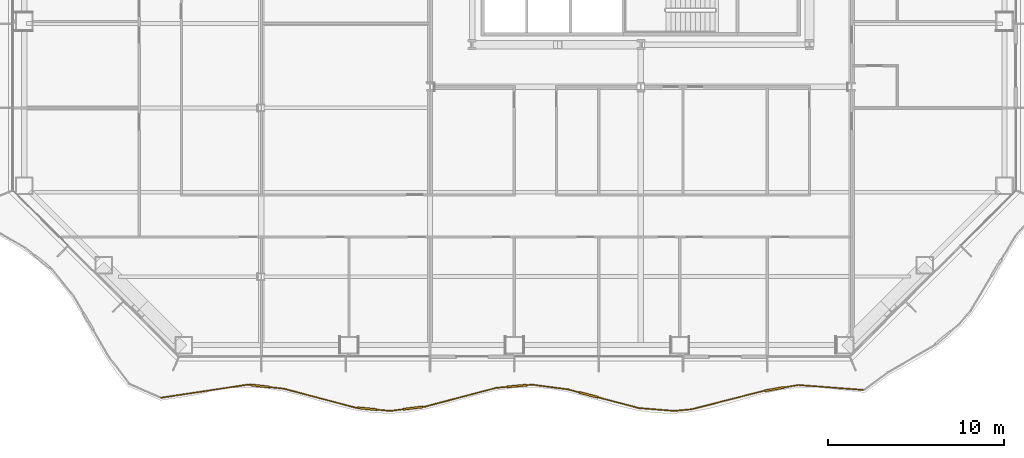
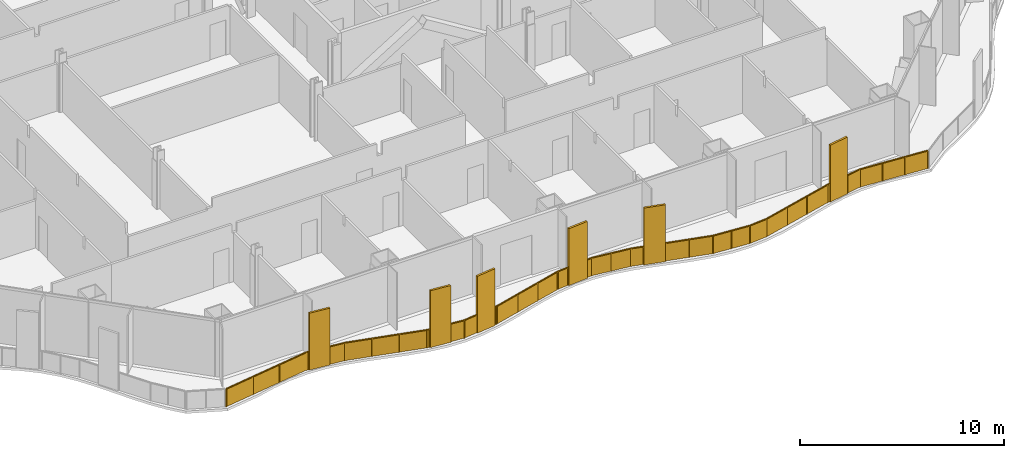
# One storey, part 16 of 21: 1 railing.
"""IFC4 building model written with IfcOpenShell, lengths in metres."""

from ifc_helpers import new_model, si_unit, direction, frame, origin, origin_2d, place, context, subcontext, project, spatial, polyline, rectangle, outline, extrude, material, type_object, element, save


model = new_model("IFC4")

# Units and contexts
model_context = context("Model", 3, precision=1e-05, world=origin(), true_north=direction((0.0, 1.0)))
body_context = subcontext(model_context, "Body", "Model", "MODEL_VIEW")
ifc_project = project(units=[si_unit("LENGTHUNIT", "METRE"), si_unit("AREAUNIT", "SQUARE_METRE"), si_unit("VOLUMEUNIT", "CUBIC_METRE"), si_unit("PLANEANGLEUNIT", "RADIAN"), si_unit("MASSUNIT", "GRAM", prefix="KILO")], contexts=[model_context])

# Site, building, storey
site_placement = place(None, origin())
site = spatial("IfcSite", under=ifc_project, at=site_placement, CompositionType="ELEMENT")
building_placement = place(site_placement, origin())
building = spatial("IfcBuilding", under=site, at=building_placement, Name="Cairn Pilgrim Tower", CompositionType="ELEMENT")
storey_placement = place(building_placement, frame((0.0, 0.0, 58.199951171875)))
storey = spatial("IfcBuildingStorey", under=building, at=storey_placement, Name="L12", CompositionType="ELEMENT", Elevation=58.199951171875)

# Railing
ifc_material = material(Name="Bronze anodised aluminium rail, posts and fin screens with laminated glass infill", Category="aluminium")
railing_type = type_object("IfcRailingType", Name="BALCONY GUARD WITH FIN SCREENS", PredefinedType="GUARDRAIL", material=ifc_material)
railing_placement = place(storey_placement, frame((-20.111572265625, -26.09521484375, 0.0)))
element("IfcRailing", 1, at=railing_placement, inside=storey, type_object=railing_type, Name="Balcony guard BGF-1 with fin screens", PredefinedType="GUARDRAIL", context=body_context, shape_type="SweptSolid", body=[
    extrude(rectangle(XDim=0.050048828125, YDim=0.050048828125, at=origin_2d()), frame((0.0, 0.0, 1.0751953125), z_axis=(0.988827717566, 0.149062889324, 0.0), x_axis=(-0.149062889324, 0.988827717566, 0.0)), (0.0, 0.0, 1.0), 5.0068359375),
    extrude(rectangle(XDim=1.10009765625, YDim=0.110107421875, at=origin_2d()), frame((5.646484375, 0.666259765625, 0.0), z_axis=(0.0, 0.0, 1.0), x_axis=(0.99343169529, -0.114426687416, 0.0)), (0.0, 0.0, 1.0), 3.39990234375),
    extrude(rectangle(XDim=0.050048828125, YDim=0.050048828125, at=origin_2d()), frame((4.950927734375, 0.746337890625, 1.0751953125), z_axis=(0.99343169529, -0.114426687416, 0.0), x_axis=(0.114426687416, 0.99343169529, 0.0)), (0.0, 0.0, 1.0), 0.150146484375),
    extrude(rectangle(XDim=0.050048828125, YDim=0.050048828125, at=origin_2d()), frame((6.19287109375, 0.603271484375, 1.0751953125), z_axis=(0.99343169529, -0.114426687416, 0.0), x_axis=(0.114426687416, 0.99343169529, 0.0)), (0.0, 0.0, 1.0), 0.815185546875),
    extrude(rectangle(XDim=0.050048828125, YDim=0.050048828125, at=origin_2d()), frame((7.002685546875, 0.510009765625, 1.0751953125), z_axis=(0.966779559823, -0.255611585631, 0.0), x_axis=(0.255611585631, 0.966779559823, 0.0)), (0.0, 0.0, 1.0), 4.1796875),
    extrude(rectangle(XDim=1.10009765625, YDim=0.110107421875, at=origin_2d()), frame((11.740234375, -0.62646484375, 0.0), z_axis=(0.0, 0.0, 1.0), x_axis=(0.99526514308, -0.097197196304, 0.0)), (0.0, 0.0, 1.0), 3.39990234375),
    extrude(rectangle(XDim=0.050048828125, YDim=0.050048828125, at=origin_2d()), frame((11.04345703125, -0.558349609375, 1.0751953125), z_axis=(0.99526514308, -0.097197196304, 0.0), x_axis=(0.097197196304, 0.99526514308, 0.0)), (0.0, 0.0, 1.0), 0.150146484375),
    extrude(rectangle(XDim=0.050048828125, YDim=0.050048828125, at=origin_2d()), frame((12.28759765625, -0.679931640625, 1.0751953125), z_axis=(0.99526514308, -0.097197196304, 0.0), x_axis=(0.097197196304, 0.99526514308, 0.0)), (0.0, 0.0, 1.0), 0.751708984375),
    extrude(rectangle(XDim=1.10009765625, YDim=0.110107421875, at=origin_2d()), frame((14.3359375, -0.591796875, 0.0), z_axis=(0.0, 0.0, 1.0), x_axis=(0.992415549692, 0.122928339815, 0.0)), (0.0, 0.0, 1.0), 3.39990234375),
    extrude(rectangle(XDim=0.050048828125, YDim=0.050048828125, at=origin_2d()), frame((13.035888671875, -0.7529296875, 1.0751953125), z_axis=(0.992415549692, 0.122928339815, 0.0), x_axis=(-0.122928339815, 0.992415549692, 0.0)), (0.0, 0.0, 1.0), 0.759765625),
    extrude(rectangle(XDim=0.050048828125, YDim=0.050048828125, at=origin_2d()), frame((14.881591796875, -0.5244140625, 1.0751953125), z_axis=(0.992415549692, 0.122928339815, 0.0), x_axis=(-0.122928339815, 0.992415549692, 0.0)), (0.0, 0.0, 1.0), 0.14990234375),
    extrude(rectangle(XDim=0.050048828125, YDim=0.050048828125, at=origin_2d()), frame((15.030517578125, -0.505859375, 1.0751953125), z_axis=(0.966883758121, 0.255217159067, 0.0), x_axis=(-0.255217159067, 0.966883758121, 0.0)), (0.0, 0.0, 1.0), 4.18310546875),
    extrude(rectangle(XDim=1.10009765625, YDim=0.110107421875, at=origin_2d()), frame((20.260498046875, 0.666748046875, 0.0), z_axis=(0.0, 0.0, 1.0), x_axis=(0.996097709012, 0.088257317554, 0.0)), (0.0, 0.0, 1.0), 3.39990234375),
    extrude(rectangle(XDim=0.050048828125, YDim=0.050048828125, at=origin_2d()), frame((19.0751953125, 0.561767578125, 1.0751953125), z_axis=(0.996097709012, 0.088257317554, 0.0), x_axis=(-0.088257317554, 0.996097709012, 0.0)), (0.0, 0.0, 1.0), 0.639892578125),
    extrude(rectangle(XDim=0.050048828125, YDim=0.050048828125, at=origin_2d()), frame((20.808349609375, 0.71533203125, 1.0751953125), z_axis=(0.996097709012, 0.088257317554, 0.0), x_axis=(-0.088257317554, 0.996097709012, 0.0)), (0.0, 0.0, 1.0), 0.318115234375),
    extrude(rectangle(XDim=0.050048828125, YDim=0.050048828125, at=origin_2d()), frame((21.125244140625, 0.743408203125, 1.0751953125), z_axis=(0.991364715307, -0.131133524484, 0.0), x_axis=(0.131133524484, 0.991364715307, 0.0)), (0.0, 0.0, 1.0), 2.064697265625),
    extrude(rectangle(XDim=1.10009765625, YDim=0.110107421875, at=origin_2d()), frame((24.337890625, 0.165771484375, 0.0), z_axis=(0.0, 0.0, 1.0), x_axis=(0.967044238459, -0.254608406897, 0.0)), (0.0, 0.0, 1.0), 3.39990234375),
    extrude(rectangle(XDim=0.050048828125, YDim=0.050048828125, at=origin_2d()), frame((23.172119140625, 0.47265625, 1.0751953125), z_axis=(0.967044238459, -0.254608406897, 0.0), x_axis=(0.254608406897, 0.967044238459, 0.0)), (0.0, 0.0, 1.0), 0.655517578125),
    extrude(rectangle(XDim=0.050048828125, YDim=0.050048828125, at=origin_2d()), frame((24.869873046875, 0.025634765625, 1.0751953125), z_axis=(0.967044238459, -0.254608406897, 0.0), x_axis=(0.254608406897, 0.967044238459, 0.0)), (0.0, 0.0, 1.0), 2.42041015625),
    extrude(rectangle(XDim=0.050048828125, YDim=0.050048828125, at=origin_2d()), frame((27.21044921875, -0.590576171875, 1.0751953125), z_axis=(0.996851633741, -0.079289471602, 0.0), x_axis=(0.079289471602, 0.996851633741, 0.0)), (0.0, 0.0, 1.0), 2.00146484375),
    extrude(rectangle(XDim=0.050048828125, YDim=0.050048828125, at=origin_2d()), frame((29.20556640625, -0.749267578125, 1.0751953125), z_axis=(0.995939573167, 0.090024255623, 0.0), x_axis=(-0.090024255623, 0.995939573167, 0.0)), (0.0, 0.0, 1.0), 0.98974609375),
    extrude(rectangle(XDim=0.050048828125, YDim=0.050048828125, at=origin_2d()), frame((30.19140625, -0.66015625, 1.0751953125), z_axis=(0.968902764262, 0.247441777808, 0.0), x_axis=(-0.247441777808, 0.968902764262, 0.0)), (0.0, 0.0, 1.0), 4.165771484375),
    extrude(rectangle(XDim=1.10009765625, YDim=0.110107421875, at=origin_2d()), frame((34.91748046875, 0.489501953125, 0.0), z_axis=(0.0, 0.0, 1.0), x_axis=(0.985466228014, 0.169871461532, 0.0)), (0.0, 0.0, 1.0), 3.39990234375),
    extrude(rectangle(XDim=0.050048828125, YDim=0.050048828125, at=origin_2d()), frame((34.2275390625, 0.37060546875, 1.0751953125), z_axis=(0.985466228014, 0.169871461532, 0.0), x_axis=(-0.169871461532, 0.985466228014, 0.0)), (0.0, 0.0, 1.0), 0.150146484375),
    extrude(rectangle(XDim=0.050048828125, YDim=0.050048828125, at=origin_2d()), frame((35.45947265625, 0.5830078125, 1.0751953125), z_axis=(0.985466228014, 0.169871461532, 0.0), x_axis=(-0.169871461532, 0.985466228014, 0.0)), (0.0, 0.0, 1.0), 0.8251953125),
    extrude(rectangle(XDim=0.050048828125, YDim=0.050048828125, at=origin_2d()), frame((36.272705078125, 0.72314453125, 1.0751953125), z_axis=(0.997148567505, -0.075463463492, 0.0), x_axis=(0.075463463492, 0.997148567505, 0.0)), (0.0, 0.0, 1.0), 3.694580078125),
    extrude(rectangle(XDim=0.050048828125, YDim=0.050048828125, at=origin_2d()), origin(), (0.0, 0.0, 1.0), 1.050048828125),
    extrude(rectangle(XDim=0.050048828125, YDim=0.050048828125, at=origin_2d()), frame((1.650390625, 0.248779296875, 0.0)), (0.0, 0.0, 1.0), 1.050048828125),
    extrude(rectangle(XDim=0.050048828125, YDim=0.050048828125, at=origin_2d()), frame((3.300537109375, 0.49755859375, 0.0)), (0.0, 0.0, 1.0), 1.050048828125),
    extrude(rectangle(XDim=0.050048828125, YDim=0.050048828125, at=origin_2d()), frame((4.950927734375, 0.746337890625, 0.0)), (0.0, 0.0, 1.0), 1.050048828125),
    extrude(rectangle(XDim=0.050048828125, YDim=0.050048828125, at=origin_2d()), frame((5.0751953125, 0.73193359375, 0.0)), (0.0, 0.0, 1.0), 1.050048828125),
    extrude(rectangle(XDim=0.050048828125, YDim=0.050048828125, at=origin_2d()), frame((6.2177734375, 0.600341796875, 0.0)), (0.0, 0.0, 1.0), 1.050048828125),
    extrude(rectangle(XDim=0.050048828125, YDim=0.050048828125, at=origin_2d()), frame((7.002685546875, 0.510009765625, 0.0)), (0.0, 0.0, 1.0), 1.050048828125),
    extrude(rectangle(XDim=0.050048828125, YDim=0.050048828125, at=origin_2d()), frame((8.349609375, 0.15380859375, 0.0)), (0.0, 0.0, 1.0), 1.050048828125),
    extrude(rectangle(XDim=0.050048828125, YDim=0.050048828125, at=origin_2d()), frame((9.696533203125, -0.2021484375, 0.0)), (0.0, 0.0, 1.0), 1.050048828125),
    extrude(rectangle(XDim=0.050048828125, YDim=0.050048828125, at=origin_2d()), frame((11.04345703125, -0.558349609375, 0.0)), (0.0, 0.0, 1.0), 1.050048828125),
    extrude(rectangle(XDim=0.050048828125, YDim=0.050048828125, at=origin_2d()), frame((11.16796875, -0.570556640625, 0.0)), (0.0, 0.0, 1.0), 1.050048828125),
    extrude(rectangle(XDim=0.050048828125, YDim=0.050048828125, at=origin_2d()), frame((12.3125, -0.682373046875, 0.0)), (0.0, 0.0, 1.0), 1.050048828125),
    extrude(rectangle(XDim=0.050048828125, YDim=0.050048828125, at=origin_2d()), frame((13.035888671875, -0.7529296875, 0.0)), (0.0, 0.0, 1.0), 1.050048828125),
    extrude(rectangle(XDim=0.050048828125, YDim=0.050048828125, at=origin_2d()), frame((13.76513671875, -0.66259765625, 0.0)), (0.0, 0.0, 1.0), 1.050048828125),
    extrude(rectangle(XDim=0.050048828125, YDim=0.050048828125, at=origin_2d()), frame((14.906494140625, -0.521240234375, 0.0)), (0.0, 0.0, 1.0), 1.050048828125),
    extrude(rectangle(XDim=0.050048828125, YDim=0.050048828125, at=origin_2d()), frame((15.030517578125, -0.505859375, 0.0)), (0.0, 0.0, 1.0), 1.050048828125),
    extrude(rectangle(XDim=0.050048828125, YDim=0.050048828125, at=origin_2d()), frame((16.378662109375, -0.14990234375, 0.0)), (0.0, 0.0, 1.0), 1.050048828125),
    extrude(rectangle(XDim=0.050048828125, YDim=0.050048828125, at=origin_2d()), frame((17.72705078125, 0.205810546875, 0.0)), (0.0, 0.0, 1.0), 1.050048828125),
    extrude(rectangle(XDim=0.050048828125, YDim=0.050048828125, at=origin_2d()), frame((19.0751953125, 0.561767578125, 0.0)), (0.0, 0.0, 1.0), 1.050048828125),
    extrude(rectangle(XDim=0.050048828125, YDim=0.050048828125, at=origin_2d()), frame((19.687744140625, 0.615966796875, 0.0)), (0.0, 0.0, 1.0), 1.050048828125),
    extrude(rectangle(XDim=0.050048828125, YDim=0.050048828125, at=origin_2d()), frame((20.833251953125, 0.717529296875, 0.0)), (0.0, 0.0, 1.0), 1.050048828125),
    extrude(rectangle(XDim=0.050048828125, YDim=0.050048828125, at=origin_2d()), frame((21.125244140625, 0.743408203125, 0.0)), (0.0, 0.0, 1.0), 1.050048828125),
    extrude(rectangle(XDim=0.050048828125, YDim=0.050048828125, at=origin_2d()), frame((22.148681640625, 0.60791015625, 0.0)), (0.0, 0.0, 1.0), 1.050048828125),
    extrude(rectangle(XDim=0.050048828125, YDim=0.050048828125, at=origin_2d()), frame((23.172119140625, 0.47265625, 0.0)), (0.0, 0.0, 1.0), 1.050048828125),
    extrude(rectangle(XDim=0.050048828125, YDim=0.050048828125, at=origin_2d()), frame((23.78173828125, 0.31201171875, 0.0)), (0.0, 0.0, 1.0), 1.050048828125),
    extrude(rectangle(XDim=0.050048828125, YDim=0.050048828125, at=origin_2d()), frame((24.89404296875, 0.019287109375, 0.0)), (0.0, 0.0, 1.0), 1.050048828125),
    extrude(rectangle(XDim=0.050048828125, YDim=0.050048828125, at=origin_2d()), frame((26.05224609375, -0.28564453125, 0.0)), (0.0, 0.0, 1.0), 1.050048828125),
    extrude(rectangle(XDim=0.050048828125, YDim=0.050048828125, at=origin_2d()), frame((27.21044921875, -0.590576171875, 0.0)), (0.0, 0.0, 1.0), 1.050048828125),
    extrude(rectangle(XDim=0.050048828125, YDim=0.050048828125, at=origin_2d()), frame((28.2080078125, -0.669921875, 0.0)), (0.0, 0.0, 1.0), 1.050048828125),
    extrude(rectangle(XDim=0.050048828125, YDim=0.050048828125, at=origin_2d()), frame((29.20556640625, -0.749267578125, 0.0)), (0.0, 0.0, 1.0), 1.050048828125),
    extrude(rectangle(XDim=0.050048828125, YDim=0.050048828125, at=origin_2d()), frame((30.19140625, -0.66015625, 0.0)), (0.0, 0.0, 1.0), 1.050048828125),
    extrude(rectangle(XDim=0.050048828125, YDim=0.050048828125, at=origin_2d()), frame((31.536865234375, -0.316650390625, 0.0)), (0.0, 0.0, 1.0), 1.050048828125),
    extrude(rectangle(XDim=0.050048828125, YDim=0.050048828125, at=origin_2d()), frame((32.882080078125, 0.027099609375, 0.0)), (0.0, 0.0, 1.0), 1.050048828125),
    extrude(rectangle(XDim=0.050048828125, YDim=0.050048828125, at=origin_2d()), frame((34.2275390625, 0.37060546875, 0.0)), (0.0, 0.0, 1.0), 1.050048828125),
    extrude(rectangle(XDim=0.050048828125, YDim=0.050048828125, at=origin_2d()), frame((34.350830078125, 0.391845703125, 0.0)), (0.0, 0.0, 1.0), 1.050048828125),
    extrude(rectangle(XDim=0.050048828125, YDim=0.050048828125, at=origin_2d()), frame((35.484130859375, 0.587158203125, 0.0)), (0.0, 0.0, 1.0), 1.050048828125),
    extrude(rectangle(XDim=0.050048828125, YDim=0.050048828125, at=origin_2d()), frame((36.272705078125, 0.72314453125, 0.0)), (0.0, 0.0, 1.0), 1.050048828125),
    extrude(rectangle(XDim=0.050048828125, YDim=0.050048828125, at=origin_2d()), frame((37.500732421875, 0.630126953125, 0.0)), (0.0, 0.0, 1.0), 1.050048828125),
    extrude(rectangle(XDim=0.050048828125, YDim=0.050048828125, at=origin_2d()), frame((38.728759765625, 0.537353515625, 0.0)), (0.0, 0.0, 1.0), 1.050048828125),
    extrude(rectangle(XDim=0.050048828125, YDim=0.050048828125, at=origin_2d()), frame((39.956787109375, 0.4443359375, 0.0)), (0.0, 0.0, 1.0), 1.050048828125),
    extrude(outline(polyline([(0.02490234375, 0.0), (1.64404296875, 0.0), (1.64404296875, 1.050048828125), (0.02490234375, 1.050048828125), (0.02490234375, 0.0)])), frame((-0.0009765625, 0.005859375, 0.0), z_axis=(0.149062889324, -0.988827717566, 0.0), x_axis=(0.988827717566, 0.149062889324, 0.0)), (0.0, 0.0, 1.0), 0.011962890625),
    extrude(outline(polyline([(0.02490234375, 0.0), (1.64404296875, 0.0), (1.64404296875, 1.050048828125), (0.02490234375, 1.050048828125), (0.02490234375, 0.0)])), frame((1.6494140625, 0.254638671875, 0.0), z_axis=(0.149062889324, -0.988827717566, 0.0), x_axis=(0.988827717566, 0.149062889324, 0.0)), (0.0, 0.0, 1.0), 0.011962890625),
    extrude(outline(polyline([(0.02490234375, 0.0), (1.64404296875, 0.0), (1.64404296875, 1.050048828125), (0.02490234375, 1.050048828125), (0.02490234375, 0.0)])), frame((3.2998046875, 0.50341796875, 0.0), z_axis=(0.149062889324, -0.988827717566, 0.0), x_axis=(0.988827717566, 0.149062889324, 0.0)), (0.0, 0.0, 1.0), 0.011962890625),
    extrude(outline(polyline([(0.02490234375, 0.0), (0.10009765625, 0.0), (0.10009765625, 1.050048828125), (0.02490234375, 1.050048828125), (0.02490234375, 0.0)])), frame((4.95166015625, 0.752197265625, 0.0), z_axis=(-0.114426687416, -0.99343169529, 0.0), x_axis=(0.99343169529, -0.114426687416, 0.0)), (0.0, 0.0, 1.0), 0.011962890625),
    extrude(outline(polyline([(0.02490234375, 0.0), (0.76513671875, 0.0), (0.76513671875, 1.050048828125), (0.02490234375, 1.050048828125), (0.02490234375, 0.0)])), frame((6.218505859375, 0.6064453125, 0.0), z_axis=(-0.114426687416, -0.99343169529, 0.0), x_axis=(0.99343169529, -0.114426687416, 0.0)), (0.0, 0.0, 1.0), 0.011962890625),
    extrude(outline(polyline([(0.02490234375, 0.0), (1.3681640625, 0.0), (1.3681640625, 1.050048828125), (0.02490234375, 1.050048828125), (0.02490234375, 0.0)])), frame((7.004150390625, 0.515869140625, 0.0), z_axis=(-0.255611585631, -0.966779559823, 0.0), x_axis=(0.966779559823, -0.255611585631, 0.0)), (0.0, 0.0, 1.0), 0.011962890625),
    extrude(outline(polyline([(0.02490234375, 0.0), (1.3681640625, 0.0), (1.3681640625, 1.050048828125), (0.02490234375, 1.050048828125), (0.02490234375, 0.0)])), frame((8.35107421875, 0.15966796875, 0.0), z_axis=(-0.255611585631, -0.966779559823, 0.0), x_axis=(0.966779559823, -0.255611585631, 0.0)), (0.0, 0.0, 1.0), 0.011962890625),
    extrude(outline(polyline([(0.02490234375, 0.0), (1.3681640625, 0.0), (1.3681640625, 1.050048828125), (0.02490234375, 1.050048828125), (0.02490234375, 0.0)])), frame((9.697998046875, -0.196533203125, 0.0), z_axis=(-0.255611585631, -0.966779559823, 0.0), x_axis=(0.966779559823, -0.255611585631, 0.0)), (0.0, 0.0, 1.0), 0.011962890625),
    extrude(outline(polyline([(0.02490234375, 0.0), (0.10009765625, 0.0), (0.10009765625, 1.050048828125), (0.02490234375, 1.050048828125), (0.02490234375, 0.0)])), frame((11.0439453125, -0.552490234375, 0.0), z_axis=(-0.097197196304, -0.99526514308, 0.0), x_axis=(0.99526514308, -0.097197196304, 0.0)), (0.0, 0.0, 1.0), 0.011962890625),
    extrude(outline(polyline([(0.02490234375, 0.0), (0.70166015625, 0.0), (0.70166015625, 1.050048828125), (0.02490234375, 1.050048828125), (0.02490234375, 0.0)])), frame((12.313232421875, -0.67626953125, 0.0), z_axis=(-0.097197196304, -0.99526514308, 0.0), x_axis=(0.99526514308, -0.097197196304, 0.0)), (0.0, 0.0, 1.0), 0.011962890625),
    extrude(outline(polyline([(0.02490234375, 0.0), (0.709716796875, 0.0), (0.709716796875, 1.050048828125), (0.02490234375, 1.050048828125), (0.02490234375, 0.0)])), frame((13.03515625, -0.7470703125, 0.0), z_axis=(0.122928339815, -0.992415549692, 0.0), x_axis=(0.992415549692, 0.122928339815, 0.0)), (0.0, 0.0, 1.0), 0.011962890625),
    extrude(outline(polyline([(0.02490234375, 0.0), (0.099853515625, 0.0), (0.099853515625, 1.050048828125), (0.02490234375, 1.050048828125), (0.02490234375, 0.0)])), frame((14.90576171875, -0.515380859375, 0.0), z_axis=(0.122928339815, -0.992415549692, 0.0), x_axis=(0.992415549692, 0.122928339815, 0.0)), (0.0, 0.0, 1.0), 0.011962890625),
    extrude(outline(polyline([(0.02490234375, 0.0), (1.369384765625, 0.0), (1.369384765625, 1.050048828125), (0.02490234375, 1.050048828125), (0.02490234375, 0.0)])), frame((15.029052734375, -0.5, 0.0), z_axis=(0.255217159067, -0.966883758121, 0.0), x_axis=(0.966883758121, 0.255217159067, 0.0)), (0.0, 0.0, 1.0), 0.011962890625),
    extrude(outline(polyline([(0.02490234375, 0.0), (1.369384765625, 0.0), (1.369384765625, 1.050048828125), (0.02490234375, 1.050048828125), (0.02490234375, 0.0)])), frame((16.377197265625, -0.144287109375, 0.0), z_axis=(0.255217159067, -0.966883758121, 0.0), x_axis=(0.966883758121, 0.255217159067, 0.0)), (0.0, 0.0, 1.0), 0.011962890625),
    extrude(outline(polyline([(0.02490234375, 0.0), (1.369384765625, 0.0), (1.369384765625, 1.050048828125), (0.02490234375, 1.050048828125), (0.02490234375, 0.0)])), frame((17.725341796875, 0.211669921875, 0.0), z_axis=(0.255217159067, -0.966883758121, 0.0), x_axis=(0.966883758121, 0.255217159067, 0.0)), (0.0, 0.0, 1.0), 0.011962890625),
    extrude(outline(polyline([(0.02490234375, 0.0), (0.58984375, 0.0), (0.58984375, 1.050048828125), (0.02490234375, 1.050048828125), (0.02490234375, 0.0)])), frame((19.07470703125, 0.567626953125, 0.0), z_axis=(0.088257317554, -0.996097709012, 0.0), x_axis=(0.996097709012, 0.088257317554, 0.0)), (0.0, 0.0, 1.0), 0.011962890625),
    extrude(outline(polyline([(0.02490234375, 0.0), (0.26806640625, 0.0), (0.26806640625, 1.050048828125), (0.02490234375, 1.050048828125), (0.02490234375, 0.0)])), frame((20.832763671875, 0.723388671875, 0.0), z_axis=(0.088257317554, -0.996097709012, 0.0), x_axis=(0.996097709012, 0.088257317554, 0.0)), (0.0, 0.0, 1.0), 0.011962890625),
    extrude(outline(polyline([(0.02490234375, 0.0), (1.00732421875, 0.0), (1.00732421875, 1.050048828125), (0.02490234375, 1.050048828125), (0.02490234375, 0.0)])), frame((21.1259765625, 0.749267578125, 0.0), z_axis=(-0.131133524484, -0.991364715307, 0.0), x_axis=(0.991364715307, -0.131133524484, 0.0)), (0.0, 0.0, 1.0), 0.011962890625),
    extrude(outline(polyline([(0.02490234375, 0.0), (1.00732421875, 0.0), (1.00732421875, 1.050048828125), (0.02490234375, 1.050048828125), (0.02490234375, 0.0)])), frame((22.1494140625, 0.614013671875, 0.0), z_axis=(-0.131133524484, -0.991364715307, 0.0), x_axis=(0.991364715307, -0.131133524484, 0.0)), (0.0, 0.0, 1.0), 0.011962890625),
    extrude(outline(polyline([(0.02490234375, 0.0), (0.60546875, 0.0), (0.60546875, 1.050048828125), (0.02490234375, 1.050048828125), (0.02490234375, 0.0)])), frame((23.173583984375, 0.478515625, 0.0), z_axis=(-0.254608406897, -0.967044238459, 0.0), x_axis=(0.967044238459, -0.254608406897, 0.0)), (0.0, 0.0, 1.0), 0.011962890625),
    extrude(outline(polyline([(0.02490234375, 0.0), (1.172607421875, 0.0), (1.172607421875, 1.050048828125), (0.02490234375, 1.050048828125), (0.02490234375, 0.0)])), frame((24.8955078125, 0.025146484375, 0.0), z_axis=(-0.254608406897, -0.967044238459, 0.0), x_axis=(0.967044238459, -0.254608406897, 0.0)), (0.0, 0.0, 1.0), 0.011962890625),
    extrude(outline(polyline([(0.02490234375, 0.0), (1.172607421875, 0.0), (1.172607421875, 1.050048828125), (0.02490234375, 1.050048828125), (0.02490234375, 0.0)])), frame((26.0537109375, -0.27978515625, 0.0), z_axis=(-0.254608406897, -0.967044238459, 0.0), x_axis=(0.967044238459, -0.254608406897, 0.0)), (0.0, 0.0, 1.0), 0.011962890625),
    extrude(outline(polyline([(0.02490234375, 0.0), (0.9755859375, 0.0), (0.9755859375, 1.050048828125), (0.02490234375, 1.050048828125), (0.02490234375, 0.0)])), frame((27.2109375, -0.584716796875, 0.0), z_axis=(-0.079289471602, -0.996851633741, 0.0), x_axis=(0.996851633741, -0.079289471602, 0.0)), (0.0, 0.0, 1.0), 0.011962890625),
    extrude(outline(polyline([(0.02490234375, 0.0), (0.9755859375, 0.0), (0.9755859375, 1.050048828125), (0.02490234375, 1.050048828125), (0.02490234375, 0.0)])), frame((28.20849609375, -0.6640625, 0.0), z_axis=(-0.079289471602, -0.996851633741, 0.0), x_axis=(0.996851633741, -0.079289471602, 0.0)), (0.0, 0.0, 1.0), 0.011962890625),
    extrude(outline(polyline([(0.02490234375, 0.0), (0.96484375, 0.0), (0.96484375, 1.050048828125), (0.02490234375, 1.050048828125), (0.02490234375, 0.0)])), frame((29.205078125, -0.743408203125, 0.0), z_axis=(0.090024255623, -0.995939573167, 0.0), x_axis=(0.995939573167, 0.090024255623, 0.0)), (0.0, 0.0, 1.0), 0.011962890625),
    extrude(outline(polyline([(0.02490234375, 0.0), (1.363525390625, 0.0), (1.363525390625, 1.050048828125), (0.02490234375, 1.050048828125), (0.02490234375, 0.0)])), frame((30.18994140625, -0.654296875, 0.0), z_axis=(0.247441777808, -0.968902764262, 0.0), x_axis=(0.968902764262, 0.247441777808, 0.0)), (0.0, 0.0, 1.0), 0.011962890625),
    extrude(outline(polyline([(0.02490234375, 0.0), (1.363525390625, 0.0), (1.363525390625, 1.050048828125), (0.02490234375, 1.050048828125), (0.02490234375, 0.0)])), frame((31.535400390625, -0.310791015625, 0.0), z_axis=(0.247441777808, -0.968902764262, 0.0), x_axis=(0.968902764262, 0.247441777808, 0.0)), (0.0, 0.0, 1.0), 0.011962890625),
    extrude(outline(polyline([(0.02490234375, 0.0), (1.363525390625, 0.0), (1.363525390625, 1.050048828125), (0.02490234375, 1.050048828125), (0.02490234375, 0.0)])), frame((32.880615234375, 0.03271484375, 0.0), z_axis=(0.247441777808, -0.968902764262, 0.0), x_axis=(0.968902764262, 0.247441777808, 0.0)), (0.0, 0.0, 1.0), 0.011962890625),
    extrude(outline(polyline([(0.02490234375, 0.0), (0.10009765625, 0.0), (0.10009765625, 1.050048828125), (0.02490234375, 1.050048828125), (0.02490234375, 0.0)])), frame((34.2265625, 0.37646484375, 0.0), z_axis=(0.169871461532, -0.985466228014, 0.0), x_axis=(0.985466228014, 0.169871461532, 0.0)), (0.0, 0.0, 1.0), 0.011962890625),
    extrude(outline(polyline([(0.02490234375, 0.0), (0.775146484375, 0.0), (0.775146484375, 1.050048828125), (0.02490234375, 1.050048828125), (0.02490234375, 0.0)])), frame((35.483154296875, 0.593017578125, 0.0), z_axis=(0.169871461532, -0.985466228014, 0.0), x_axis=(0.985466228014, 0.169871461532, 0.0)), (0.0, 0.0, 1.0), 0.011962890625),
    extrude(outline(polyline([(0.02490234375, 0.0), (1.20654296875, 0.0), (1.20654296875, 1.050048828125), (0.02490234375, 1.050048828125), (0.02490234375, 0.0)])), frame((36.273193359375, 0.72900390625, 0.0), z_axis=(-0.075463463492, -0.997148567505, 0.0), x_axis=(0.997148567505, -0.075463463492, 0.0)), (0.0, 0.0, 1.0), 0.011962890625),
    extrude(outline(polyline([(0.02490234375, 0.0), (1.20654296875, 0.0), (1.20654296875, 1.050048828125), (0.02490234375, 1.050048828125), (0.02490234375, 0.0)])), frame((37.501220703125, 0.63623046875, 0.0), z_axis=(-0.075463463492, -0.997148567505, 0.0), x_axis=(0.997148567505, -0.075463463492, 0.0)), (0.0, 0.0, 1.0), 0.011962890625),
    extrude(outline(polyline([(0.02490234375, 0.0), (1.20654296875, 0.0), (1.20654296875, 1.050048828125), (0.02490234375, 1.050048828125), (0.02490234375, 0.0)])), frame((38.729248046875, 0.543212890625, 0.0), z_axis=(-0.075463463492, -0.997148567505, 0.0), x_axis=(0.997148567505, -0.075463463492, 0.0)), (0.0, 0.0, 1.0), 0.011962890625),
])

save(model, "model.ifc")
